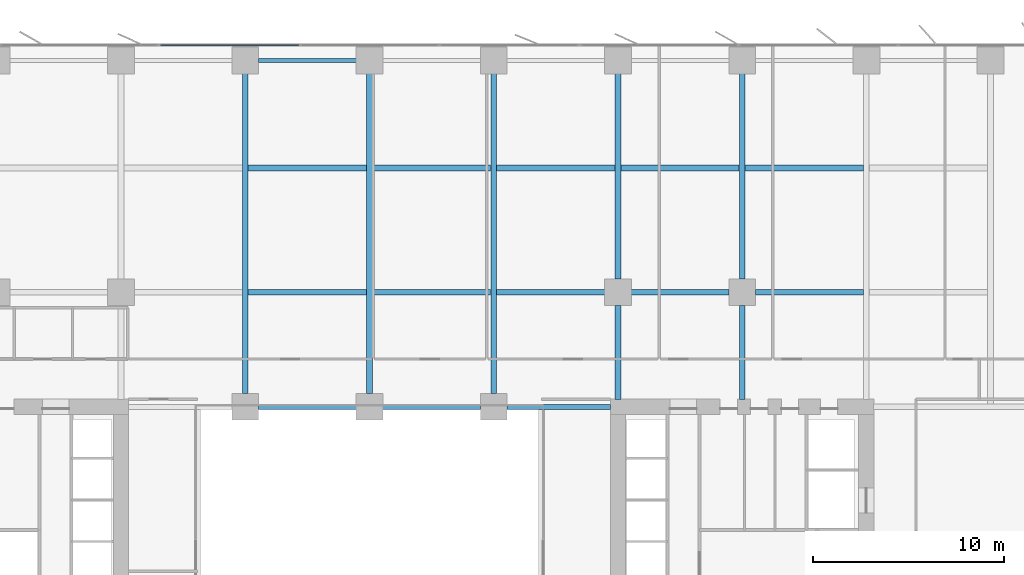
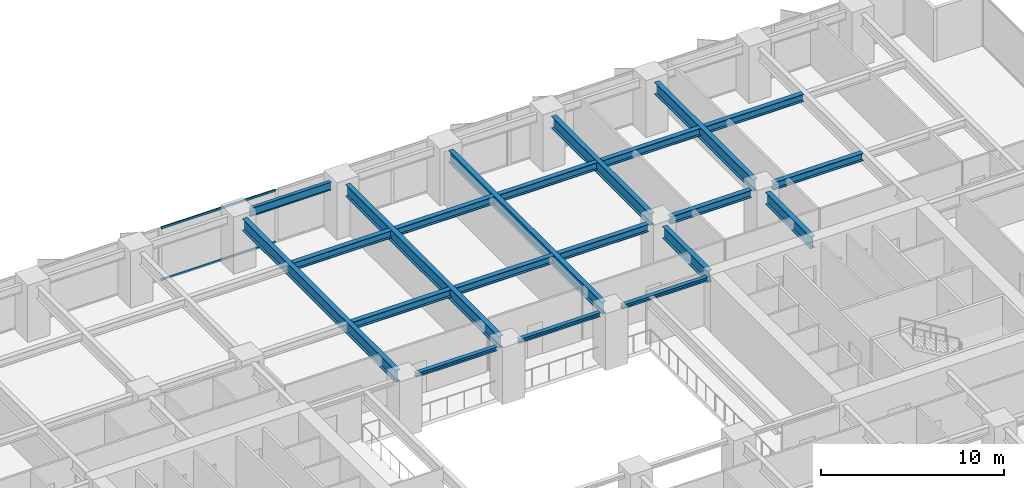
# One storey, part 8 of 20: 21 beams, 2 members, 1 element without a shape of its own.
"""IFC4 building model written with IfcOpenShell, lengths in metres."""

import ifcopenshell
import ifcopenshell.guid

model = None  # the IFC model being written
_history = None  # IfcOwnerHistory: only IFC2X3 demands one
_inside = {}  # id of a spatial element -> (the spatial element, [elements in it])
_under = {}  # id of a project, library or spatial element -> (it, [spatial elements below it])
_declared = {}  # id of a project -> (the project, [libraries it declares])
_typed = {}  # id of a type object -> (the type object, [elements of that type])
_made_of = {}  # id of a material, layer set ... -> (it, [elements and type objects made of it])


def new_model(schema):
    """Start an empty IFC model of exactly this schema.

    Asked for "IFC4X3", IfcOpenShell would pick the latest addendum, in which some entities
    have other attributes; the version numbers below select the first issue.
    IFC2X3 requires an IfcOwnerHistory on every rooted entity: one is made here for all.
    """
    global model, _history
    if schema == "IFC4X3":
        model = ifcopenshell.file(schema_version=(4, 3, 0, 0))
    else:
        model = ifcopenshell.file(schema=schema)
    _inside.clear()
    _under.clear()
    _declared.clear()
    _typed.clear()
    _made_of.clear()
    _history = None
    if model.schema == "IFC2X3":
        org = make("IfcOrganization", Name="unknown")
        user = make(
            "IfcPersonAndOrganization",
            ThePerson=make("IfcPerson", FamilyName="unknown"),
            TheOrganization=org,
        )
        app = make(
            "IfcApplication",
            ApplicationDeveloper=org,
            Version="unknown",
            ApplicationFullName="unknown",
            ApplicationIdentifier="unknown",
        )
        _history = make(
            "IfcOwnerHistory",
            OwningUser=user,
            OwningApplication=app,
            ChangeAction="ADDED",
            CreationDate=0,
        )
    return model


def make(cls, **values):
    """One entity of the class cls with the attributes given. An attribute that is None is left unset."""
    return model.create_entity(
        cls, **{name: value for name, value in values.items() if value is not None}
    )


def rooted(cls, **values):
    """An entity with a GlobalId (a new one), such as an element, a storey or a relation."""
    return make(cls, GlobalId=ifcopenshell.guid.new(), OwnerHistory=_history, **values)


def si_unit(unit_type, name, prefix=None):
    """IfcSIUnit, for example si_unit("LENGTHUNIT", "METRE", prefix="MILLI")."""
    return make("IfcSIUnit", UnitType=unit_type, Prefix=prefix, Name=name)


def assignment(units):
    """IfcUnitAssignment: the units of a project."""
    return None if units is None else make("IfcUnitAssignment", Units=units)


def point(xyz):
    """IfcCartesianPoint."""
    return None if xyz is None else make("IfcCartesianPoint", Coordinates=xyz)


def direction(xyz):
    """IfcDirection."""
    return None if xyz is None else make("IfcDirection", DirectionRatios=xyz)


def frame(location, z_axis=None, x_axis=None):
    """IfcAxis2Placement3D, a coordinate frame: its origin and axes. An axis left out is left unset."""
    return make(
        "IfcAxis2Placement3D",
        Location=point(location),
        Axis=direction(z_axis),
        RefDirection=direction(x_axis),
    )


def frame_2d(location, x_axis=None):
    """IfcAxis2Placement2D, a coordinate frame in the plane: its origin and x axis."""
    return make(
        "IfcAxis2Placement2D", Location=point(location), RefDirection=direction(x_axis)
    )


def origin():
    """The frame at (0, 0, 0) with its axes left unset."""
    return frame((0.0, 0.0, 0.0))


def origin_2d():
    """The frame at (0, 0) in the plane with its x axis left unset."""
    return frame_2d((0.0, 0.0))


def place(relative_to, where):
    """IfcLocalPlacement: puts the frame where relative to a parent placement (None: the world)."""
    return make(
        "IfcLocalPlacement", PlacementRelTo=relative_to, RelativePlacement=where
    )


def context(
    kind, dimensions, precision=None, world=None, true_north=None, identifier=None
):
    """IfcGeometricRepresentationContext, for example the 3D "Model" context."""
    return make(
        "IfcGeometricRepresentationContext",
        ContextIdentifier=identifier,
        ContextType=kind,
        CoordinateSpaceDimension=dimensions,
        Precision=precision,
        WorldCoordinateSystem=world,
        TrueNorth=true_north,
    )


def subcontext(parent, identifier, kind, view, scale=None):
    """IfcGeometricRepresentationSubContext, for example "Body" below "Model"."""
    return make(
        "IfcGeometricRepresentationSubContext",
        ContextIdentifier=identifier,
        ContextType=kind,
        ParentContext=parent,
        TargetScale=scale,
        TargetView=view,
    )


def project(units=None, contexts=None):
    """IfcProject with its units and contexts."""
    return rooted(
        "IfcProject",
        Name="project",
        RepresentationContexts=contexts,
        UnitsInContext=assignment(units),
    )


def spatial(cls, under=None, at=None, **own):
    """A site, building, storey or space (cls), placed at a placement, below another one or the project."""
    s = rooted(cls, ObjectPlacement=at, **own)
    if under is not None:
        _under.setdefault(under.id(), (under, []))[1].append(s)
    return s


def profile(cls, at=None, kind="AREA", **sizes):
    """A parametric profile (cls). Its sizes go by their IFC names, for example OverallWidth=200.0."""
    return make(cls, ProfileType=kind, Position=at, **sizes)


def rectangle(**sizes):
    """IfcRectangleProfileDef."""
    return profile("IfcRectangleProfileDef", **sizes)


def i_section(**sizes):
    """IfcIShapeProfileDef."""
    return profile("IfcIShapeProfileDef", **sizes)


def extrude(swept, where, along, depth):
    """IfcExtrudedAreaSolid: the profile swept, set in the frame where, extruded along a direction by depth."""
    return make(
        "IfcExtrudedAreaSolid",
        SweptArea=swept,
        Position=where,
        ExtrudedDirection=direction(along),
        Depth=depth,
    )


def shape(context_of_items, identifier, shape_type, items):
    """IfcShapeRepresentation: the items that make up one representation, for example the "Body"."""
    return make(
        "IfcShapeRepresentation",
        ContextOfItems=context_of_items,
        RepresentationIdentifier=identifier,
        RepresentationType=shape_type,
        Items=items,
    )


def material(Name=None, Category=None):
    """IfcMaterial."""
    return make("IfcMaterial", Name=Name, Category=Category)


def layer(
    of_material, thickness, ventilated=None, Name=None, Category=None, Priority=None
):
    """IfcMaterialLayer: one layer of a wall or slab, of a material (None: an air gap)."""
    return make(
        "IfcMaterialLayer",
        Material=of_material,
        LayerThickness=thickness,
        IsVentilated=ventilated,
        Name=Name,
        Category=Category,
        Priority=Priority,
    )


def layer_set(layers, Name=None):
    """IfcMaterialLayerSet."""
    return make("IfcMaterialLayerSet", MaterialLayers=layers, LayerSetName=Name)


def material_profile(
    of_material, cross_section, Name=None, Category=None, Priority=None
):
    """IfcMaterialProfile: a cross section and its material."""
    return make(
        "IfcMaterialProfile",
        Name=Name,
        Material=of_material,
        Profile=cross_section,
        Priority=Priority,
        Category=Category,
    )


def profile_set(profiles, Name=None, composite=None):
    """IfcMaterialProfileSet."""
    return make(
        "IfcMaterialProfileSet",
        Name=Name,
        MaterialProfiles=profiles,
        CompositeProfile=composite,
    )


def made_of(thing, what):
    """Note that an element or type object is made of a material, layer set ...; save() writes the relation."""
    if what is not None:
        _made_of.setdefault(what.id(), (what, []))[1].append(thing)
    return thing


def type_object(cls, material=None, **own):
    """A type object (cls), such as IfcWallType, which elements share."""
    return made_of(rooted(cls, **own), material)


def element(
    cls,
    number,
    at=None,
    inside=None,
    cuts=None,
    type_object=None,
    material=None,
    context=None,
    identifier="Body",
    shape_type=None,
    held_by="IfcProductDefinitionShape",
    body=None,
    shapes=None,
    **own,
):
    """One element of the class cls, such as IfcWall. Its Tag is "e" and its number.

    at: its placement. inside: the storey or other place that contains it. cuts: it is an
    opening in that element (IfcRelVoidsElement). A single representation is given by context,
    identifier, shape_type and body (its items); several are given by shapes. held_by: the class
    of the entity that holds the representations. save() writes the other relations.
    """
    e = rooted(cls, Tag="e%d" % number, ObjectPlacement=at, **own)
    if body is not None:
        shapes = [shape(context, identifier, shape_type, body)]
    if shapes is not None:
        e.Representation = make(held_by, Representations=shapes)
    if inside is not None:
        _inside.setdefault(inside.id(), (inside, []))[1].append(e)
    if cuts is not None:
        rooted(
            "IfcRelVoidsElement", RelatingBuildingElement=cuts, RelatedOpeningElement=e
        )
    if type_object is not None:
        _typed.setdefault(type_object.id(), (type_object, []))[1].append(e)
    return made_of(e, material)


def aggregate(whole, parts):
    """IfcRelAggregates: a whole, such as a stair, and the parts it consists of."""
    return rooted("IfcRelAggregates", RelatingObject=whole, RelatedObjects=parts)


def save(model, path):
    """Write the relations noted so far, then the file.

    IfcRelAggregates (storeys below a building ...), IfcRelContainedInSpatialStructure (elements
    in a storey), IfcRelDefinesByType, IfcRelAssociatesMaterial and IfcRelDeclares: one each for
    every whole, place, type object, material and project.
    """
    for whole, parts in _under.values():
        aggregate(whole, parts)
    for where, things in _inside.values():
        rooted(
            "IfcRelContainedInSpatialStructure",
            RelatedElements=things,
            RelatingStructure=where,
        )
    for kind, things in _typed.values():
        rooted("IfcRelDefinesByType", RelatedObjects=things, RelatingType=kind)
    for what, things in _made_of.values():
        rooted("IfcRelAssociatesMaterial", RelatedObjects=things, RelatingMaterial=what)
    for by, libraries in _declared.values():
        rooted("IfcRelDeclares", RelatingContext=by, RelatedDefinitions=libraries)
    model.write(path)


model = new_model("IFC4")

# Units and contexts
model_context = context("Model", 3, precision=1e-05, world=origin(), true_north=direction((0.0, 1.0)))
body_context = subcontext(model_context, "Body", "Model", "MODEL_VIEW")
ifc_project = project(units=[si_unit("LENGTHUNIT", "METRE"), si_unit("AREAUNIT", "SQUARE_METRE"), si_unit("VOLUMEUNIT", "CUBIC_METRE"), si_unit("PLANEANGLEUNIT", "RADIAN"), si_unit("MASSUNIT", "GRAM", prefix="KILO")], contexts=[model_context])

# Site, building, storey
site_placement = place(None, origin())
site = spatial("IfcSite", under=ifc_project, at=site_placement, CompositionType="ELEMENT")
building_placement = place(site_placement, origin())
building = spatial("IfcBuilding", under=site, at=building_placement, Name="Putna Gate Headquarters", CompositionType="ELEMENT")
storey_placement = place(building_placement, frame((0.0, 0.0, 77.199951171875)))
storey = spatial("IfcBuildingStorey", under=building, at=storey_placement, Name="L18", CompositionType="ELEMENT", Elevation=77.199951171875)

# Beams
ifc_material_1 = material(Name="Steel S355J2", Category="steel")
ifc_material_profile_1 = material_profile(ifc_material_1, i_section(OverallWidth=0.260009765625, OverallDepth=0.260009765625, WebThickness=0.010009765625, FlangeThickness=0.017578125, at=origin_2d()), Name="Steel S355J2")
ifc_profile_set_1 = profile_set([ifc_material_profile_1], Name="Steel S355J2")
beam_type_1 = type_object("IfcBeamType", Name="BM-ATRIUM-HEB260", PredefinedType="BEAM", material=ifc_profile_set_1)
for number, where, z_axis, x_axis, name in (
    (1, (33.18798828125, 33.0, 3.39013671875), (1.0, 0.0, 0.0), (0.0, 1.0, 0.0), "L18 Atrium Edge Beam AN2"),
    (2, (39.68798828125, 33.0, 3.39013671875), (1.0, 0.0, 0.0), (0.0, 1.0, 0.0), "L18 Atrium Edge Beam AN3"),
):
    element("IfcBeam", number, at=place(storey_placement, frame(where, z_axis=z_axis, x_axis=x_axis)), inside=storey, type_object=beam_type_1, Name=name, PredefinedType="BEAM", context=body_context, shape_type="SweptSolid", body=[
        extrude(i_section(OverallWidth=0.260009765625, OverallDepth=0.260009765625, WebThickness=0.010009765625, FlangeThickness=0.017578125, at=origin_2d()), origin(), (0.0, 0.0, 1.0), 5.1240234375),
    ])
beam_1_placement = place(storey_placement, frame((46.18798828125, 33.0, 3.39013671875), z_axis=(1.0, 0.0, 0.0), x_axis=(0.0, 1.0, 0.0)))
element("IfcBeam", 3, at=beam_1_placement, inside=storey, type_object=beam_type_1, Name="L18 Atrium Edge Beam AN4", PredefinedType="BEAM", context=body_context, shape_type="SweptSolid", body=[
    extrude(i_section(OverallWidth=0.260009765625, OverallDepth=0.260009765625, WebThickness=0.010009765625, FlangeThickness=0.017578125, at=origin_2d()), origin(), (0.0, 0.0, 1.0), 5.427001953125),
])
ifc_material_profile_2 = material_profile(ifc_material_1, i_section(OverallWidth=0.300048828125, OverallDepth=0.800048828125, WebThickness=0.017578125, FlangeThickness=0.032958984375, at=origin_2d()), Name="Steel S355J2")
ifc_profile_set_2 = profile_set([ifc_material_profile_2], Name="Steel S355J2")
beam_type_2 = type_object("IfcBeamType", Name="BM-GIRD-P-HEB800", PredefinedType="USERDEFINED", material=ifc_profile_set_2)
for number, where, z_axis, x_axis, name in (
    (4, (32.5, 33.68798828125, 3.1201171875), (0.0, 1.0, 0.0), (-1.0, 0.0, 0.0), "L18 North Primary Girder X32"),
    (5, (39.0, 33.68798828125, 3.1201171875), (0.0, 1.0, 0.0), (-1.0, 0.0, 0.0), "L18 North Primary Girder X39"),
    (6, (45.5, 33.68798828125, 3.1201171875), (0.0, 1.0, 0.0), (-1.0, 0.0, 0.0), "L18 North Primary Girder X45"),
):
    element("IfcBeam", number, at=place(storey_placement, frame(where, z_axis=z_axis, x_axis=x_axis)), inside=storey, type_object=beam_type_2, Name=name, ObjectType="GIRDER", PredefinedType="USERDEFINED", context=body_context, shape_type="SweptSolid", body=[
        extrude(i_section(OverallWidth=0.300048828125, OverallDepth=0.800048828125, WebThickness=0.017578125, FlangeThickness=0.032958984375, at=origin_2d()), origin(), (0.0, 0.0, 1.0), 16.743896484375),
    ])
beam_2_placement = place(storey_placement, frame((52.0, 33.385009765625, 3.1201171875), z_axis=(0.0, 1.0, 0.0), x_axis=(-1.0, 0.0, 0.0)))
element("IfcBeam", 7, at=beam_2_placement, inside=storey, type_object=beam_type_2, Name="L18 North Primary Girder X52-1", ObjectType="GIRDER", PredefinedType="USERDEFINED", context=body_context, shape_type="SweptSolid", body=[
    extrude(i_section(OverallWidth=0.300048828125, OverallDepth=0.800048828125, WebThickness=0.017578125, FlangeThickness=0.032958984375, at=origin_2d()), origin(), (0.0, 0.0, 1.0), 4.927001953125),
])
beam_3_placement = place(storey_placement, frame((52.0, 39.68798828125, 3.1201171875), z_axis=(0.0, 1.0, 0.0), x_axis=(-1.0, 0.0, 0.0)))
element("IfcBeam", 8, at=beam_3_placement, inside=storey, type_object=beam_type_2, Name="L18 North Primary Girder X52-2", ObjectType="GIRDER", PredefinedType="USERDEFINED", context=body_context, shape_type="SweptSolid", body=[
    extrude(i_section(OverallWidth=0.300048828125, OverallDepth=0.800048828125, WebThickness=0.017578125, FlangeThickness=0.032958984375, at=origin_2d()), origin(), (0.0, 0.0, 1.0), 10.743896484375),
])
beam_4_placement = place(storey_placement, frame((58.5, 33.385009765625, 3.1201171875), z_axis=(0.0, 1.0, 0.0), x_axis=(-1.0, 0.0, 0.0)))
element("IfcBeam", 9, at=beam_4_placement, inside=storey, type_object=beam_type_2, Name="L18 North Primary Girder X58-1", ObjectType="GIRDER", PredefinedType="USERDEFINED", context=body_context, shape_type="SweptSolid", body=[
    extrude(i_section(OverallWidth=0.300048828125, OverallDepth=0.800048828125, WebThickness=0.017578125, FlangeThickness=0.032958984375, at=origin_2d()), origin(), (0.0, 0.0, 1.0), 4.927001953125),
])
beam_5_placement = place(storey_placement, frame((58.5, 39.68798828125, 3.1201171875), z_axis=(0.0, 1.0, 0.0), x_axis=(-1.0, 0.0, 0.0)))
element("IfcBeam", 10, at=beam_5_placement, inside=storey, type_object=beam_type_2, Name="L18 North Primary Girder X58-2", ObjectType="GIRDER", PredefinedType="USERDEFINED", context=body_context, shape_type="SweptSolid", body=[
    extrude(i_section(OverallWidth=0.300048828125, OverallDepth=0.800048828125, WebThickness=0.017578125, FlangeThickness=0.032958984375, at=origin_2d()), origin(), (0.0, 0.0, 1.0), 10.743896484375),
])
ifc_material_profile_3 = material_profile(ifc_material_1, i_section(OverallWidth=0.300048828125, OverallDepth=0.5, WebThickness=0.014404296875, FlangeThickness=0.028076171875, at=origin_2d()), Name="Steel S355J2")
ifc_profile_set_3 = profile_set([ifc_material_profile_3], Name="Steel S355J2")
beam_type_3 = type_object("IfcBeamType", Name="BM-GIRD-Z4-HEB500", PredefinedType="USERDEFINED", material=ifc_profile_set_3)
for number, where, z_axis, x_axis, name in (
    (11, (32.654052734375, 39.0, 3.27001953125), (1.0, 0.0, 0.0), (0.0, 1.0, 0.0), "L18 North Secondary Beam 5"),
    (12, (32.654052734375, 45.5, 3.27001953125), (1.0, 0.0, 0.0), (0.0, 1.0, 0.0), "L18 North Secondary Beam 5"),
    (13, (39.154052734375, 39.0, 3.27001953125), (1.0, 0.0, 0.0), (0.0, 1.0, 0.0), "L18 North Secondary Beam 6"),
    (14, (39.154052734375, 45.5, 3.27001953125), (1.0, 0.0, 0.0), (0.0, 1.0, 0.0), "L18 North Secondary Beam 6"),
):
    element("IfcBeam", number, at=place(storey_placement, frame(where, z_axis=z_axis, x_axis=x_axis)), inside=storey, type_object=beam_type_3, Name=name, ObjectType="GIRDER", PredefinedType="USERDEFINED", context=body_context, shape_type="SweptSolid", body=[
        extrude(i_section(OverallWidth=0.300048828125, OverallDepth=0.5, WebThickness=0.014404296875, FlangeThickness=0.028076171875, at=origin_2d()), origin(), (0.0, 0.0, 1.0), 6.19189453125),
    ])
beam_6_placement = place(storey_placement, frame((45.654052734375, 39.0, 3.27001953125), z_axis=(1.0, 0.0, 0.0), x_axis=(0.0, 1.0, 0.0)))
element("IfcBeam", 15, at=beam_6_placement, inside=storey, type_object=beam_type_3, Name="L18 North Secondary Beam 7", ObjectType="GIRDER", PredefinedType="USERDEFINED", context=body_context, shape_type="SweptSolid", body=[
    extrude(i_section(OverallWidth=0.300048828125, OverallDepth=0.5, WebThickness=0.014404296875, FlangeThickness=0.028076171875, at=origin_2d()), origin(), (0.0, 0.0, 1.0), 5.657958984375),
])
beam_7_placement = place(storey_placement, frame((45.654052734375, 45.5, 3.27001953125), z_axis=(1.0, 0.0, 0.0), x_axis=(0.0, 1.0, 0.0)))
element("IfcBeam", 16, at=beam_7_placement, inside=storey, type_object=beam_type_3, Name="L18 North Secondary Beam 7", ObjectType="GIRDER", PredefinedType="USERDEFINED", context=body_context, shape_type="SweptSolid", body=[
    extrude(i_section(OverallWidth=0.300048828125, OverallDepth=0.5, WebThickness=0.014404296875, FlangeThickness=0.028076171875, at=origin_2d()), origin(), (0.0, 0.0, 1.0), 6.19189453125),
])
beam_8_placement = place(storey_placement, frame((52.68798828125, 39.0, 3.27001953125), z_axis=(1.0, 0.0, 0.0), x_axis=(0.0, 1.0, 0.0)))
element("IfcBeam", 17, at=beam_8_placement, inside=storey, type_object=beam_type_3, Name="L18 North Secondary Beam 8", ObjectType="GIRDER", PredefinedType="USERDEFINED", context=body_context, shape_type="SweptSolid", body=[
    extrude(i_section(OverallWidth=0.300048828125, OverallDepth=0.5, WebThickness=0.014404296875, FlangeThickness=0.028076171875, at=origin_2d()), origin(), (0.0, 0.0, 1.0), 5.1240234375),
])
beam_9_placement = place(storey_placement, frame((52.154052734375, 45.5, 3.27001953125), z_axis=(1.0, 0.0, 0.0), x_axis=(0.0, 1.0, 0.0)))
element("IfcBeam", 18, at=beam_9_placement, inside=storey, type_object=beam_type_3, Name="L18 North Secondary Beam 8", ObjectType="GIRDER", PredefinedType="USERDEFINED", context=body_context, shape_type="SweptSolid", body=[
    extrude(i_section(OverallWidth=0.300048828125, OverallDepth=0.5, WebThickness=0.014404296875, FlangeThickness=0.028076171875, at=origin_2d()), origin(), (0.0, 0.0, 1.0), 6.19189453125),
])
beam_10_placement = place(storey_placement, frame((59.18798828125, 39.0, 3.27001953125), z_axis=(1.0, 0.0, 0.0), x_axis=(0.0, 1.0, 0.0)))
element("IfcBeam", 19, at=beam_10_placement, inside=storey, type_object=beam_type_3, Name="L18 North Secondary Beam 9", ObjectType="GIRDER", PredefinedType="USERDEFINED", context=body_context, shape_type="SweptSolid", body=[
    extrude(i_section(OverallWidth=0.300048828125, OverallDepth=0.5, WebThickness=0.014404296875, FlangeThickness=0.028076171875, at=origin_2d()), origin(), (0.0, 0.0, 1.0), 5.657958984375),
])
beam_11_placement = place(storey_placement, frame((58.654052734375, 45.5, 3.27001953125), z_axis=(1.0, 0.0, 0.0), x_axis=(0.0, 1.0, 0.0)))
element("IfcBeam", 20, at=beam_11_placement, inside=storey, type_object=beam_type_3, Name="L18 North Secondary Beam 9", ObjectType="GIRDER", PredefinedType="USERDEFINED", context=body_context, shape_type="SweptSolid", body=[
    extrude(i_section(OverallWidth=0.300048828125, OverallDepth=0.5, WebThickness=0.014404296875, FlangeThickness=0.028076171875, at=origin_2d()), origin(), (0.0, 0.0, 1.0), 6.19189453125),
])
ifc_material_profile_4 = material_profile(ifc_material_1, i_section(OverallWidth=0.2099609375, OverallDepth=0.550048828125, WebThickness=0.010986328125, FlangeThickness=0.01708984375, at=origin_2d()), Name="Steel S355J2")
ifc_profile_set_4 = profile_set([ifc_material_profile_4], Name="Steel S355J2")
beam_type_4 = type_object("IfcBeamType", Name="BM-SPAN-Z1-IPE550", PredefinedType="SPANDREL", material=ifc_profile_set_4)
beam_12_placement = place(storey_placement, frame((33.18798828125, 51.1201171875, 3.2451171875), z_axis=(1.0, 0.0, 0.0), x_axis=(0.0, 1.0, 0.0)))
element("IfcBeam", 21, at=beam_12_placement, inside=storey, type_object=beam_type_4, Name="L18 N Perimeter Spandrel 5", PredefinedType="SPANDREL", context=body_context, shape_type="SweptSolid", body=[
    extrude(i_section(OverallWidth=0.2099609375, OverallDepth=0.550048828125, WebThickness=0.010986328125, FlangeThickness=0.01708984375, at=origin_2d()), origin(), (0.0, 0.0, 1.0), 5.1240234375),
])

# Curtain wall, members
ifc_material_2 = material(Name="Anodised bronze aluminium curtain wall", Category="aluminium")
ifc_layer = layer(ifc_material_2, 0.179931640625)
ifc_layer_set = layer_set([ifc_layer], Name="Anodised bronze aluminium curtain wall")
curtain_wall_type = type_object("IfcCurtainWallType", Name="CW-SYS-ATR", PredefinedType="USERDEFINED", material=ifc_layer_set)
curtain_wall_placement = place(storey_placement, origin())
curtain_wall = element("IfcCurtainWall", 22, at=curtain_wall_placement, inside=storey, type_object=curtain_wall_type, Name="L18 North Atrium Clear Glazing", ObjectType="ATRIUM GLAZING", PredefinedType="USERDEFINED")
ifc_material_3 = material(Name="Anodised bronze aluminium EN AW-6060", Category="aluminium")
ifc_material_profile_5 = material_profile(ifc_material_3, rectangle(XDim=0.070068359375, YDim=0.139892578125, at=origin_2d()), Name="Anodised bronze aluminium EN AW-6060")
ifc_profile_set_5 = profile_set([ifc_material_profile_5], Name="Anodised bronze aluminium EN AW-6060")
member_type = type_object("IfcMemberType", Name="TRAN-CWT-AT", PredefinedType="USERDEFINED", material=ifc_profile_set_5)
member_1_placement = place(storey_placement, frame((28.070068359375, 51.919921875, 0.03515625), z_axis=(1.0, 0.0, 0.0), x_axis=(0.0, 1.0, 0.0)))
member_1 = element("IfcMember", 23, at=member_1_placement, type_object=member_type, Name="CWS-AT transom 1.1", ObjectType="TRANSOM", PredefinedType="USERDEFINED", context=body_context, shape_type="SweptSolid", body=[
    extrude(rectangle(XDim=0.070068359375, YDim=0.139892578125, at=origin_2d()), origin(), (0.0, 0.0, 1.0), 7.228271484375),
])
member_2_placement = place(storey_placement, frame((28.070068359375, 51.919921875, 3.485107421875), z_axis=(1.0, 0.0, 0.0), x_axis=(0.0, 1.0, 0.0)))
member_2 = element("IfcMember", 24, at=member_2_placement, type_object=member_type, Name="CWS-AT transom 1.2", ObjectType="TRANSOM", PredefinedType="USERDEFINED", context=body_context, shape_type="SweptSolid", body=[
    extrude(rectangle(XDim=0.070068359375, YDim=0.139892578125, at=origin_2d()), origin(), (0.0, 0.0, 1.0), 7.228271484375),
])
aggregate(curtain_wall, [member_1, member_2])

save(model, "model.ifc")
